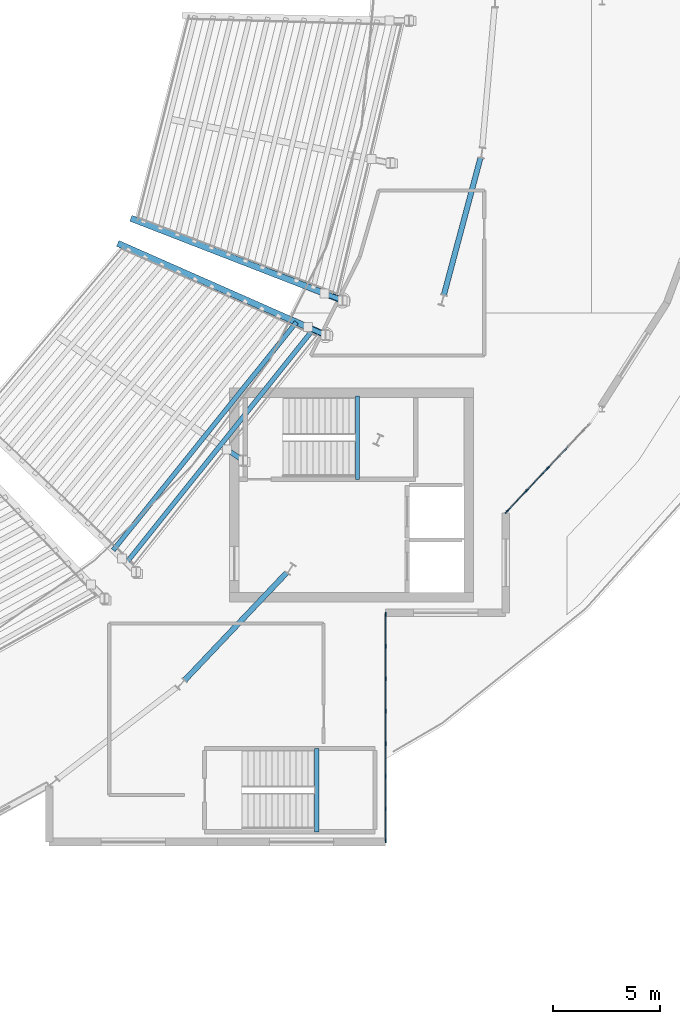
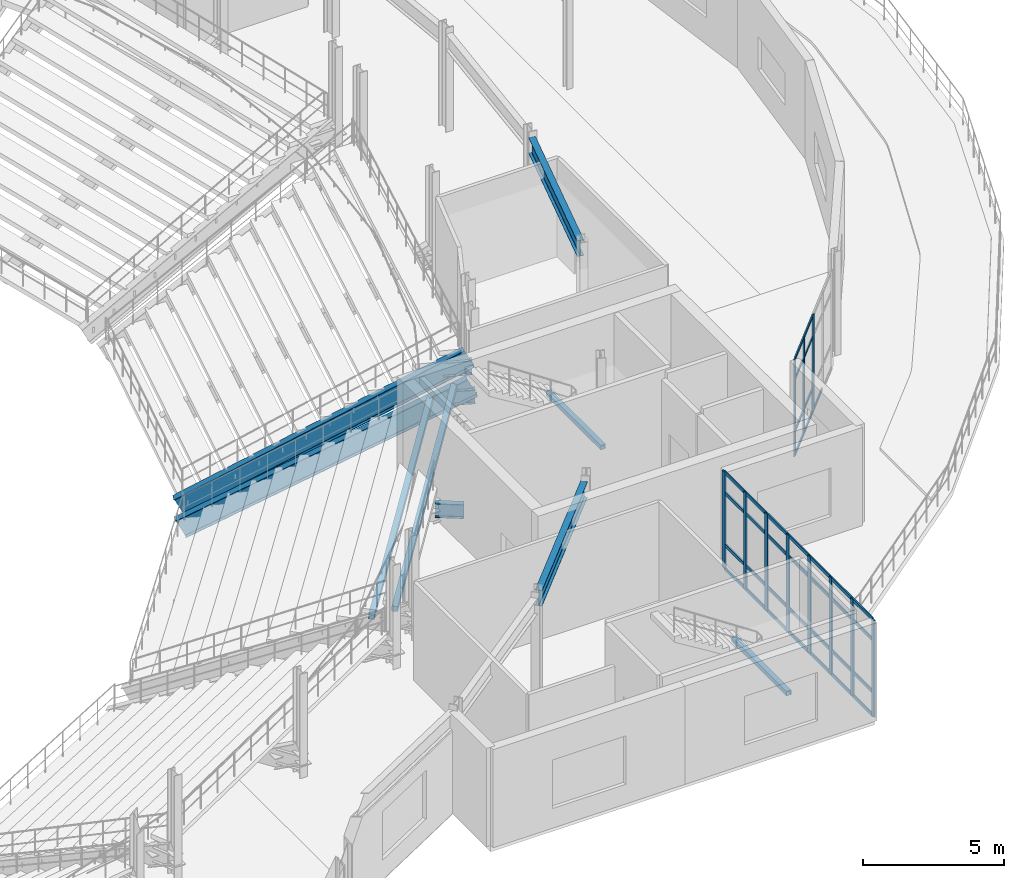
# One storey, part 40 of 81: 48 members, 11 beams, 2 elements without a shape of their own.
"""IFC4 building model written with IfcOpenShell, lengths in metres."""

from ifc_helpers import new_model, si_unit, direction, frame, origin, origin_2d, place, context, subcontext, project, spatial, rectangle, hollow_rectangle, i_section, extrude, material, material_profile, profile_set, type_object, element, aggregate, save


model = new_model("IFC4")

# Units and contexts
model_context = context("Model", 3, precision=1e-05, world=origin(), true_north=direction((0.0, 1.0)))
body_context = subcontext(model_context, "Body", "Model", "MODEL_VIEW")
ifc_project = project(units=[si_unit("LENGTHUNIT", "METRE"), si_unit("AREAUNIT", "SQUARE_METRE"), si_unit("VOLUMEUNIT", "CUBIC_METRE"), si_unit("PLANEANGLEUNIT", "RADIAN"), si_unit("MASSUNIT", "GRAM", prefix="KILO")], contexts=[model_context])

# Site, building, storey
site_placement = place(None, origin())
site = spatial("IfcSite", under=ifc_project, at=site_placement, CompositionType="ELEMENT")
building_placement = place(site_placement, origin())
building = spatial("IfcBuilding", under=site, at=building_placement, Name="Glasvene Arena", CompositionType="ELEMENT")
storey_placement = place(building_placement, frame((0.0, 0.0, 15.0)))
storey = spatial("IfcBuildingStorey", under=building, at=storey_placement, Name="L03", CompositionType="ELEMENT", Elevation=15.0)

# Beams
ifc_material_1 = material(Name="Steel S355J2", Category="steel")
ifc_material_profile_1 = material_profile(ifc_material_1, i_section(OverallWidth=0.228271484375, OverallDepth=0.607666015625, WebThickness=0.010986328125, FlangeThickness=0.017333984375, FilletRadius=0.0126953125, at=origin_2d()), Name="UKB 610x229x113")
ifc_profile_set_1 = profile_set([ifc_material_profile_1], Name="Steel S355J2")
beam_type_1 = type_object("IfcBeamType", Name="BM-GIRD-610", PredefinedType="BEAM", material=ifc_profile_set_1)
beam_1_placement = place(storey_placement, frame((129.499267578125, 52.110595703125, 0.544921875), z_axis=(0.831386976724, -0.555693885997, 0.0), x_axis=(0.555693885997, 0.831386976724, 0.0)))
element("IfcBeam", 1, at=beam_1_placement, inside=storey, type_object=beam_type_1, Name="Upper raker rear seat haunch girder RKS-15-2", PredefinedType="BEAM", context=body_context, shape_type="SweptSolid", body=[
    extrude(i_section(OverallWidth=0.228271484375, OverallDepth=0.607666015625, WebThickness=0.010986328125, FlangeThickness=0.017333984375, FilletRadius=0.0126953125, at=origin_2d()), origin(), (0.0, 0.0, 1.0), 1.020263671875),
])
for number, where, z_axis, x_axis, name in (
    (2, (133.2646484375, 57.82666015625, 0.60498046875), (0.914972384144, -0.403516463423, 0.0), (0.403516463423, 0.914972384144, 0.0), "Upper raker rear seat haunch girder RKS-15-3"),
    (3, (134.0478515625, 59.403076171875, 0.60498046875), (0.932305314337, -0.361672228488, 0.0), (0.361672228488, 0.932305314337, 0.0), "Upper raker rear seat haunch girder RKS-16-1"),
):
    element("IfcBeam", number, at=place(storey_placement, frame(where, z_axis=z_axis, x_axis=x_axis)), inside=storey, type_object=beam_type_1, Name=name, PredefinedType="BEAM", context=body_context, shape_type="SweptSolid", body=[
        extrude(i_section(OverallWidth=0.228271484375, OverallDepth=0.607666015625, WebThickness=0.010986328125, FlangeThickness=0.017333984375, FilletRadius=0.0126953125, at=origin_2d()), origin(), (0.0, 0.0, 1.0), 1.02001953125),
    ])
ifc_material_profile_2 = material_profile(ifc_material_1, i_section(OverallWidth=0.253662109375, OverallDepth=0.68359375, WebThickness=0.012451171875, FlangeThickness=0.01904296875, FilletRadius=0.01513671875, at=origin_2d()), Name="UKB 686x254x140")
ifc_profile_set_2 = profile_set([ifc_material_profile_2], Name="Steel S355J2")
beam_type_2 = type_object("IfcBeamType", Name="BM-GIRD-686", PredefinedType="BEAM", material=ifc_profile_set_2)
beam_2_placement = place(storey_placement, frame((127.5205078125, 41.354248046875, 3.908203125), z_axis=(0.688366558931, 0.725362999157, 0.0), x_axis=(-0.725362999157, 0.688366558931, 0.0)))
element("IfcBeam", 4, at=beam_2_placement, inside=storey, type_object=beam_type_2, Name="Bowl ring chord beam L03-36", PredefinedType="BEAM", context=body_context, shape_type="SweptSolid", body=[
    extrude(i_section(OverallWidth=0.253662109375, OverallDepth=0.68359375, WebThickness=0.012451171875, FlangeThickness=0.01904296875, FilletRadius=0.01513671875, at=origin_2d()), origin(), (0.0, 0.0, 1.0), 6.92236328125),
])
beam_3_placement = place(storey_placement, frame((139.61474609375, 59.326171875, 3.908203125), z_axis=(0.257729153992, 0.966217202901, 0.0), x_axis=(-0.966217202901, 0.257729153992, 0.0)))
element("IfcBeam", 5, at=beam_3_placement, inside=storey, type_object=beam_type_2, Name="Bowl ring chord beam L03-39", PredefinedType="BEAM", context=body_context, shape_type="SweptSolid", body=[
    extrude(i_section(OverallWidth=0.253662109375, OverallDepth=0.68359375, WebThickness=0.012451171875, FlangeThickness=0.01904296875, FilletRadius=0.01513671875, at=origin_2d()), origin(), (0.0, 0.0, 1.0), 6.626220703125),
])
ifc_material_profile_3 = material_profile(ifc_material_1, hollow_rectangle(XDim=0.199951171875, YDim=0.199951171875, WallThickness=0.010009765625, at=origin_2d()), Name="SHS 200x200x10.0")
ifc_profile_set_3 = profile_set([ifc_material_profile_3], Name="Steel S355J2")
beam_type_3 = type_object("IfcBeamType", Name="BM-LINTEL-200", PredefinedType="LINTEL", material=ifc_profile_set_3)
beam_4_placement = place(storey_placement, frame((135.580078125, 50.72998046875, 1.929931640625), z_axis=(0.0, 1.0, 0.0), x_axis=(-1.0, 0.0, 0.0)))
element("IfcBeam", 6, at=beam_4_placement, inside=storey, type_object=beam_type_3, Name="Stair half-landing support beam ST-04-L03", PredefinedType="LINTEL", context=body_context, shape_type="SweptSolid", body=[
    extrude(hollow_rectangle(XDim=0.199951171875, YDim=0.199951171875, WallThickness=0.010009765625, at=origin_2d()), origin(), (0.0, 0.0, 1.0), 3.89013671875),
])
beam_5_placement = place(storey_placement, frame((133.679931640625, 34.280029296875, 1.929931640625), z_axis=(0.0, 1.0, 0.0), x_axis=(-1.0, 0.0, 0.0)))
element("IfcBeam", 7, at=beam_5_placement, inside=storey, type_object=beam_type_3, Name="Stair half-landing support beam ST-06-L03", PredefinedType="LINTEL", context=body_context, shape_type="SweptSolid", body=[
    extrude(hollow_rectangle(XDim=0.199951171875, YDim=0.199951171875, WallThickness=0.010009765625, at=origin_2d()), origin(), (0.0, 0.0, 1.0), 3.889892578125),
])
ifc_material_profile_4 = material_profile(ifc_material_1, i_section(OverallWidth=0.29248046875, OverallDepth=0.8408203125, WebThickness=0.0146484375, FlangeThickness=0.021728515625, FilletRadius=0.017822265625, at=origin_2d()), Name="UKB 838x292x194")
ifc_profile_set_4 = profile_set([ifc_material_profile_4], Name="Steel S355J2")
beam_type_4 = type_object("IfcBeamType", Name="Upper bowl raker", PredefinedType="USERDEFINED", material=ifc_profile_set_4)
beam_6_placement = place(storey_placement, frame((124.572509765625, 61.660400390625, -4.320068359375), z_axis=(0.814248067092, -0.359137379961, 0.456092564674), x_axis=(0.403555824655, 0.914955024243, 0.0)))
element("IfcBeam", 8, at=beam_6_placement, inside=storey, type_object=beam_type_4, Name="Upper bowl cantilevered raker beam RKU-15-3", ObjectType="RAKER BEAM", PredefinedType="USERDEFINED", context=body_context, shape_type="SweptSolid", body=[
    extrude(i_section(OverallWidth=0.29248046875, OverallDepth=0.8408203125, WebThickness=0.0146484375, FlangeThickness=0.021728515625, FilletRadius=0.017822265625, at=origin_2d()), origin(), (0.0, 0.0, 1.0), 11.686279296875),
])
beam_7_placement = place(storey_placement, frame((125.190673828125, 62.83837890625, -4.320068359375), z_axis=(0.829704586846, -0.321824936055, 0.456091009669), x_axis=(0.361628219192, 0.932322385811, 0.0)))
element("IfcBeam", 9, at=beam_7_placement, inside=storey, type_object=beam_type_4, Name="Upper bowl cantilevered raker beam RKU-16-1", ObjectType="RAKER BEAM", PredefinedType="USERDEFINED", context=body_context, shape_type="SweptSolid", body=[
    extrude(i_section(OverallWidth=0.29248046875, OverallDepth=0.8408203125, WebThickness=0.0146484375, FlangeThickness=0.021728515625, FilletRadius=0.017822265625, at=origin_2d()), origin(), (0.0, 0.0, 1.0), 11.6865234375),
])
ifc_material_2 = material(Name="Precast concrete C50/60", Category="concrete")
ifc_material_profile_5 = material_profile(ifc_material_2, rectangle(XDim=0.219970703125, YDim=0.219970703125, at=origin_2d()), Name="RC 220x220")
ifc_profile_set_5 = profile_set([ifc_material_profile_5], Name="Precast concrete C50/60")
beam_type_5 = type_object("IfcBeamType", Name="BM-TIER-BEARER", PredefinedType="BEAM", material=ifc_profile_set_5)
beam_8_placement = place(storey_placement, frame((124.1865234375, 47.423583984375, 0.5849609375), z_axis=(0.626373636343, 0.779522974449, 0.0), x_axis=(-0.779522974449, 0.626373636343, 0.0)))
element("IfcBeam", 10, at=beam_8_placement, inside=storey, type_object=beam_type_5, Name="Upper tier precast row bearer 15-R11", PredefinedType="BEAM", context=body_context, shape_type="SweptSolid", body=[
    extrude(rectangle(XDim=0.219970703125, YDim=0.219970703125, at=origin_2d()), origin(), (0.0, 0.0, 1.0), 13.645751953125),
])
beam_9_placement = place(storey_placement, frame((124.801025390625, 46.836181640625, 1.06494140625), z_axis=(0.624932117526, 0.780679094433, 0.0), x_axis=(-0.780679094433, 0.624932117526, 0.0)))
element("IfcBeam", 11, at=beam_9_placement, inside=storey, type_object=beam_type_5, Name="Upper tier precast row bearer 15-R12", PredefinedType="BEAM", context=body_context, shape_type="SweptSolid", body=[
    extrude(rectangle(XDim=0.219970703125, YDim=0.219970703125, at=origin_2d()), origin(), (0.0, 0.0, 1.0), 13.938720703125),
])

# Curtain wall, members
ifc_material_3 = material(Name="Low-emissivity laminated double glazing", Category="glass")
curtain_wall_type_1 = type_object("IfcCurtainWallType", Name="CW-FAC-L03-563x419", PredefinedType="USERDEFINED", material=ifc_material_3)
curtain_wall_1_placement = place(storey_placement, frame((146.388427734375, 53.2880859375, 0.0)))
curtain_wall_1 = element("IfcCurtainWall", 12, at=curtain_wall_1_placement, inside=storey, type_object=curtain_wall_type_1, Name="Unitised curtain wall CW-F-L03-180-1445-512-43", ObjectType="CURTAIN WALL", PredefinedType="USERDEFINED")
ifc_material_4 = material(Name="Anodised architectural aluminium", Category="aluminium")
ifc_material_profile_6 = material_profile(ifc_material_4, rectangle(XDim=0.050048828125, YDim=0.199951171875, at=origin_2d()), Name="ALU MULLION 50x200")
ifc_profile_set_6 = profile_set([ifc_material_profile_6], Name="Anodised architectural aluminium")
member_type_1 = type_object("IfcMemberType", Name="CW-MUL-180", PredefinedType="MULLION", material=ifc_profile_set_6)
member_1_placement = place(storey_placement, frame((144.4580078125, 51.2412109375, 0.06005859375), z_axis=(0.0, 0.0, 1.0), x_axis=(0.727463943497, -0.686145910803, 0.0)))
member_1 = element("IfcMember", 13, at=member_1_placement, type_object=member_type_1, Name="CW-039 mullion 3", PredefinedType="MULLION", context=body_context, shape_type="SweptSolid", body=[
    extrude(rectangle(XDim=0.050048828125, YDim=0.199951171875, at=origin_2d()), origin(), (0.0, 0.0, 1.0), 4.18994140625),
])
member_2_placement = place(storey_placement, frame((143.49267578125, 50.2177734375, 0.06005859375), z_axis=(0.0, 0.0, 1.0), x_axis=(0.727463943497, -0.686145910803, 0.0)))
member_2 = element("IfcMember", 14, at=member_2_placement, type_object=member_type_1, Name="CW-039 mullion 4", PredefinedType="MULLION", context=body_context, shape_type="SweptSolid", body=[
    extrude(rectangle(XDim=0.050048828125, YDim=0.199951171875, at=origin_2d()), origin(), (0.0, 0.0, 1.0), 4.18994140625),
])
member_3_placement = place(storey_placement, frame((142.54443359375, 49.212646484375, 0.06005859375), z_axis=(0.0, 0.0, 1.0), x_axis=(0.727463943497, -0.686145910803, 0.0)))
member_3 = element("IfcMember", 15, at=member_3_placement, type_object=member_type_1, Name="CW-039 mullion 5", PredefinedType="MULLION", context=body_context, shape_type="SweptSolid", body=[
    extrude(rectangle(XDim=0.050048828125, YDim=0.199951171875, at=origin_2d()), origin(), (0.0, 0.0, 1.0), 4.18994140625),
])

curtain_wall_type_2 = type_object("IfcCurtainWallType", Name="CW-FAC-L03-1062x419", PredefinedType="USERDEFINED", material=ifc_material_3)
curtain_wall_2_placement = place(storey_placement, frame((136.89990234375, 44.4599609375, 0.0)))
curtain_wall_2 = element("IfcCurtainWall", 16, at=curtain_wall_2_placement, inside=storey, type_object=curtain_wall_type_2, Name="Unitised curtain wall CW-F-L03-180-1369-392-46", ObjectType="CURTAIN WALL", PredefinedType="USERDEFINED")
member_4_placement = place(storey_placement, frame((136.89990234375, 44.43505859375, 0.06005859375), z_axis=(0.0, 0.0, 1.0), x_axis=(1.0, 0.0, 0.0)))
member_4 = element("IfcMember", 17, at=member_4_placement, type_object=member_type_1, Name="CW-040 mullion 1", PredefinedType="MULLION", context=body_context, shape_type="SweptSolid", body=[
    extrude(rectangle(XDim=0.050048828125, YDim=0.199951171875, at=origin_2d()), origin(), (0.0, 0.0, 1.0), 4.18994140625),
])
member_5_placement = place(storey_placement, frame((136.89990234375, 42.94287109375, 0.06005859375), z_axis=(0.0, 0.0, 1.0), x_axis=(1.0, 0.0, 0.0)))
member_5 = element("IfcMember", 18, at=member_5_placement, type_object=member_type_1, Name="CW-040 mullion 2", PredefinedType="MULLION", context=body_context, shape_type="SweptSolid", body=[
    extrude(rectangle(XDim=0.050048828125, YDim=0.199951171875, at=origin_2d()), origin(), (0.0, 0.0, 1.0), 4.18994140625),
])
member_6_placement = place(storey_placement, frame((136.89990234375, 41.42578125, 0.06005859375), z_axis=(0.0, 0.0, 1.0), x_axis=(1.0, 0.0, 0.0)))
member_6 = element("IfcMember", 19, at=member_6_placement, type_object=member_type_1, Name="CW-040 mullion 3", PredefinedType="MULLION", context=body_context, shape_type="SweptSolid", body=[
    extrude(rectangle(XDim=0.050048828125, YDim=0.199951171875, at=origin_2d()), origin(), (0.0, 0.0, 1.0), 4.18994140625),
])
member_7_placement = place(storey_placement, frame((136.89990234375, 39.90869140625, 0.06005859375), z_axis=(0.0, 0.0, 1.0), x_axis=(1.0, 0.0, 0.0)))
member_7 = element("IfcMember", 20, at=member_7_placement, type_object=member_type_1, Name="CW-040 mullion 4", PredefinedType="MULLION", context=body_context, shape_type="SweptSolid", body=[
    extrude(rectangle(XDim=0.050048828125, YDim=0.199951171875, at=origin_2d()), origin(), (0.0, 0.0, 1.0), 4.18994140625),
])
member_8_placement = place(storey_placement, frame((136.89990234375, 38.391357421875, 0.06005859375), z_axis=(0.0, 0.0, 1.0), x_axis=(1.0, 0.0, 0.0)))
member_8 = element("IfcMember", 21, at=member_8_placement, type_object=member_type_1, Name="CW-040 mullion 5", PredefinedType="MULLION", context=body_context, shape_type="SweptSolid", body=[
    extrude(rectangle(XDim=0.050048828125, YDim=0.199951171875, at=origin_2d()), origin(), (0.0, 0.0, 1.0), 4.18994140625),
])
member_9_placement = place(storey_placement, frame((136.89990234375, 36.874267578125, 0.06005859375), z_axis=(0.0, 0.0, 1.0), x_axis=(1.0, 0.0, 0.0)))
member_9 = element("IfcMember", 22, at=member_9_placement, type_object=member_type_1, Name="CW-040 mullion 6", PredefinedType="MULLION", context=body_context, shape_type="SweptSolid", body=[
    extrude(rectangle(XDim=0.050048828125, YDim=0.199951171875, at=origin_2d()), origin(), (0.0, 0.0, 1.0), 4.18994140625),
])
member_10_placement = place(storey_placement, frame((136.89990234375, 35.357177734375, 0.06005859375), z_axis=(0.0, 0.0, 1.0), x_axis=(1.0, 0.0, 0.0)))
member_10 = element("IfcMember", 23, at=member_10_placement, type_object=member_type_1, Name="CW-040 mullion 7", PredefinedType="MULLION", context=body_context, shape_type="SweptSolid", body=[
    extrude(rectangle(XDim=0.050048828125, YDim=0.199951171875, at=origin_2d()), origin(), (0.0, 0.0, 1.0), 4.18994140625),
])
member_11_placement = place(storey_placement, frame((136.89990234375, 33.864990234375, 0.06005859375), z_axis=(0.0, 0.0, 1.0), x_axis=(1.0, 0.0, 0.0)))
member_11 = element("IfcMember", 24, at=member_11_placement, type_object=member_type_1, Name="CW-040 mullion 8", PredefinedType="MULLION", context=body_context, shape_type="SweptSolid", body=[
    extrude(rectangle(XDim=0.050048828125, YDim=0.199951171875, at=origin_2d()), origin(), (0.0, 0.0, 1.0), 4.18994140625),
])

# Member
ifc_material_profile_7 = material_profile(ifc_material_4, rectangle(XDim=0.050048828125, YDim=0.1201171875, at=origin_2d()), Name="ALU TRANSOM 50x120")
ifc_profile_set_7 = profile_set([ifc_material_profile_7], Name="Anodised architectural aluminium")
member_type_2 = type_object("IfcMemberType", Name="CW-TRN-120", PredefinedType="USERDEFINED", material=ifc_profile_set_7)
member_12_placement = place(storey_placement, frame((145.406005859375, 52.246337890625, 0.0849609375), z_axis=(-0.686200664221, -0.727412296035, 0.0), x_axis=(0.727412296035, -0.686200664221, 0.0)))
member_12 = element("IfcMember", 25, at=member_12_placement, type_object=member_type_2, Name="CW-039 transom 2.1", ObjectType="TRANSOM", PredefinedType="USERDEFINED", context=body_context, shape_type="SweptSolid", body=[
    extrude(rectangle(XDim=0.050048828125, YDim=0.1201171875, at=origin_2d()), origin(), (0.0, 0.0, 1.0), 1.356689453125),
])

member_13_placement = place(storey_placement, frame((144.440673828125, 51.22314453125, 0.0849609375), z_axis=(-0.686110841844, -0.727497019034, 0.0), x_axis=(0.727497019034, -0.686110841844, 0.0)))
member_13 = element("IfcMember", 26, at=member_13_placement, type_object=member_type_2, Name="CW-039 transom 3.1", ObjectType="TRANSOM", PredefinedType="USERDEFINED", context=body_context, shape_type="SweptSolid", body=[
    extrude(rectangle(XDim=0.050048828125, YDim=0.1201171875, at=origin_2d()), origin(), (0.0, 0.0, 1.0), 1.356689453125),
])

member_14_placement = place(storey_placement, frame((144.440673828125, 51.22314453125, 1.10009765625), z_axis=(-0.686110841844, -0.727497019034, 0.0), x_axis=(0.727497019034, -0.686110841844, 0.0)))
member_14 = element("IfcMember", 27, at=member_14_placement, type_object=member_type_2, Name="CW-039 transom 3.2", ObjectType="TRANSOM", PredefinedType="USERDEFINED", context=body_context, shape_type="SweptSolid", body=[
    extrude(rectangle(XDim=0.050048828125, YDim=0.1201171875, at=origin_2d()), origin(), (0.0, 0.0, 1.0), 1.356689453125),
])

member_15_placement = place(storey_placement, frame((144.440673828125, 51.22314453125, 3.35009765625), z_axis=(-0.686110841844, -0.727497019034, 0.0), x_axis=(0.727497019034, -0.686110841844, 0.0)))
member_15 = element("IfcMember", 28, at=member_15_placement, type_object=member_type_2, Name="CW-039 transom 3.3", ObjectType="TRANSOM", PredefinedType="USERDEFINED", context=body_context, shape_type="SweptSolid", body=[
    extrude(rectangle(XDim=0.050048828125, YDim=0.1201171875, at=origin_2d()), origin(), (0.0, 0.0, 1.0), 1.356689453125),
])

member_16_placement = place(storey_placement, frame((144.440673828125, 51.22314453125, 4.22509765625), z_axis=(-0.686110841844, -0.727497019034, 0.0), x_axis=(0.727497019034, -0.686110841844, 0.0)))
member_16 = element("IfcMember", 29, at=member_16_placement, type_object=member_type_2, Name="CW-039 transom 3.4", ObjectType="TRANSOM", PredefinedType="USERDEFINED", context=body_context, shape_type="SweptSolid", body=[
    extrude(rectangle(XDim=0.050048828125, YDim=0.1201171875, at=origin_2d()), origin(), (0.0, 0.0, 1.0), 1.356689453125),
])

member_17_placement = place(storey_placement, frame((143.4755859375, 50.19970703125, 0.0849609375), z_axis=(-0.686181993146, -0.727429908845, 0.0), x_axis=(0.727429908845, -0.686181993146, 0.0)))
member_17 = element("IfcMember", 30, at=member_17_placement, type_object=member_type_2, Name="CW-039 transom 4.1", ObjectType="TRANSOM", PredefinedType="USERDEFINED", context=body_context, shape_type="SweptSolid", body=[
    extrude(rectangle(XDim=0.050048828125, YDim=0.1201171875, at=origin_2d()), origin(), (0.0, 0.0, 1.0), 1.331787109375),
])

member_18_placement = place(storey_placement, frame((143.4755859375, 50.19970703125, 1.10009765625), z_axis=(-0.686181993146, -0.727429908845, 0.0), x_axis=(0.727429908845, -0.686181993146, 0.0)))
member_18 = element("IfcMember", 31, at=member_18_placement, type_object=member_type_2, Name="CW-039 transom 4.2", ObjectType="TRANSOM", PredefinedType="USERDEFINED", context=body_context, shape_type="SweptSolid", body=[
    extrude(rectangle(XDim=0.050048828125, YDim=0.1201171875, at=origin_2d()), origin(), (0.0, 0.0, 1.0), 1.331787109375),
])

member_19_placement = place(storey_placement, frame((143.4755859375, 50.19970703125, 3.35009765625), z_axis=(-0.686181993146, -0.727429908845, 0.0), x_axis=(0.727429908845, -0.686181993146, 0.0)))
member_19 = element("IfcMember", 32, at=member_19_placement, type_object=member_type_2, Name="CW-039 transom 4.3", ObjectType="TRANSOM", PredefinedType="USERDEFINED", context=body_context, shape_type="SweptSolid", body=[
    extrude(rectangle(XDim=0.050048828125, YDim=0.1201171875, at=origin_2d()), origin(), (0.0, 0.0, 1.0), 1.331787109375),
])

member_20_placement = place(storey_placement, frame((143.4755859375, 50.19970703125, 4.22509765625), z_axis=(-0.686181993146, -0.727429908845, 0.0), x_axis=(0.727429908845, -0.686181993146, 0.0)))
member_20 = element("IfcMember", 33, at=member_20_placement, type_object=member_type_2, Name="CW-039 transom 4.4", ObjectType="TRANSOM", PredefinedType="USERDEFINED", context=body_context, shape_type="SweptSolid", body=[
    extrude(rectangle(XDim=0.050048828125, YDim=0.1201171875, at=origin_2d()), origin(), (0.0, 0.0, 1.0), 1.331787109375),
])

aggregate(curtain_wall_1, [member_1, member_2, member_3, member_12, member_13, member_14, member_15, member_16, member_17, member_18, member_19, member_20])

ifc_material_profile_8 = material_profile(ifc_material_4, rectangle(XDim=0.050048828125, YDim=0.14990234375, at=origin_2d()), Name="ALU TRANSOM 50x150")
ifc_profile_set_8 = profile_set([ifc_material_profile_8], Name="Anodised architectural aluminium")
member_type_3 = type_object("IfcMemberType", Name="CW-TRN-150", PredefinedType="USERDEFINED", material=ifc_profile_set_8)
member_21_placement = place(storey_placement, frame((136.89990234375, 44.409912109375, 0.0849609375), z_axis=(0.0, -1.0, 0.0), x_axis=(1.0, 0.0, 0.0)))
member_21 = element("IfcMember", 34, at=member_21_placement, type_object=member_type_3, Name="CW-040 transom 1.1", ObjectType="TRANSOM", PredefinedType="USERDEFINED", context=body_context, shape_type="SweptSolid", body=[
    extrude(rectangle(XDim=0.050048828125, YDim=0.14990234375, at=origin_2d()), origin(), (0.0, 0.0, 1.0), 1.442138671875),
])

member_22_placement = place(storey_placement, frame((136.89990234375, 44.409912109375, 1.10009765625), z_axis=(0.0, -1.0, 0.0), x_axis=(1.0, 0.0, 0.0)))
member_22 = element("IfcMember", 35, at=member_22_placement, type_object=member_type_3, Name="CW-040 transom 1.2", ObjectType="TRANSOM", PredefinedType="USERDEFINED", context=body_context, shape_type="SweptSolid", body=[
    extrude(rectangle(XDim=0.050048828125, YDim=0.14990234375, at=origin_2d()), origin(), (0.0, 0.0, 1.0), 1.442138671875),
])

member_23_placement = place(storey_placement, frame((136.89990234375, 44.409912109375, 3.35009765625), z_axis=(0.0, -1.0, 0.0), x_axis=(1.0, 0.0, 0.0)))
member_23 = element("IfcMember", 36, at=member_23_placement, type_object=member_type_3, Name="CW-040 transom 1.3", ObjectType="TRANSOM", PredefinedType="USERDEFINED", context=body_context, shape_type="SweptSolid", body=[
    extrude(rectangle(XDim=0.050048828125, YDim=0.14990234375, at=origin_2d()), origin(), (0.0, 0.0, 1.0), 1.442138671875),
])

member_24_placement = place(storey_placement, frame((136.89990234375, 44.409912109375, 4.22509765625), z_axis=(0.0, -1.0, 0.0), x_axis=(1.0, 0.0, 0.0)))
member_24 = element("IfcMember", 37, at=member_24_placement, type_object=member_type_3, Name="CW-040 transom 1.4", ObjectType="TRANSOM", PredefinedType="USERDEFINED", context=body_context, shape_type="SweptSolid", body=[
    extrude(rectangle(XDim=0.050048828125, YDim=0.14990234375, at=origin_2d()), origin(), (0.0, 0.0, 1.0), 1.442138671875),
])

member_25_placement = place(storey_placement, frame((136.89990234375, 42.91796875, 0.0849609375), z_axis=(0.0, -1.0, 0.0), x_axis=(1.0, 0.0, 0.0)))
member_25 = element("IfcMember", 38, at=member_25_placement, type_object=member_type_3, Name="CW-040 transom 2.1", ObjectType="TRANSOM", PredefinedType="USERDEFINED", context=body_context, shape_type="SweptSolid", body=[
    extrude(rectangle(XDim=0.050048828125, YDim=0.14990234375, at=origin_2d()), origin(), (0.0, 0.0, 1.0), 1.46728515625),
])

member_26_placement = place(storey_placement, frame((136.89990234375, 42.91796875, 1.10009765625), z_axis=(0.0, -1.0, 0.0), x_axis=(1.0, 0.0, 0.0)))
member_26 = element("IfcMember", 39, at=member_26_placement, type_object=member_type_3, Name="CW-040 transom 2.2", ObjectType="TRANSOM", PredefinedType="USERDEFINED", context=body_context, shape_type="SweptSolid", body=[
    extrude(rectangle(XDim=0.050048828125, YDim=0.14990234375, at=origin_2d()), origin(), (0.0, 0.0, 1.0), 1.46728515625),
])

member_27_placement = place(storey_placement, frame((136.89990234375, 42.91796875, 3.35009765625), z_axis=(0.0, -1.0, 0.0), x_axis=(1.0, 0.0, 0.0)))
member_27 = element("IfcMember", 40, at=member_27_placement, type_object=member_type_3, Name="CW-040 transom 2.3", ObjectType="TRANSOM", PredefinedType="USERDEFINED", context=body_context, shape_type="SweptSolid", body=[
    extrude(rectangle(XDim=0.050048828125, YDim=0.14990234375, at=origin_2d()), origin(), (0.0, 0.0, 1.0), 1.46728515625),
])

member_28_placement = place(storey_placement, frame((136.89990234375, 42.91796875, 4.22509765625), z_axis=(0.0, -1.0, 0.0), x_axis=(1.0, 0.0, 0.0)))
member_28 = element("IfcMember", 41, at=member_28_placement, type_object=member_type_3, Name="CW-040 transom 2.4", ObjectType="TRANSOM", PredefinedType="USERDEFINED", context=body_context, shape_type="SweptSolid", body=[
    extrude(rectangle(XDim=0.050048828125, YDim=0.14990234375, at=origin_2d()), origin(), (0.0, 0.0, 1.0), 1.46728515625),
])

member_29_placement = place(storey_placement, frame((136.89990234375, 41.400634765625, 0.0849609375), z_axis=(0.0, -1.0, 0.0), x_axis=(1.0, 0.0, 0.0)))
member_29 = element("IfcMember", 42, at=member_29_placement, type_object=member_type_3, Name="CW-040 transom 3.1", ObjectType="TRANSOM", PredefinedType="USERDEFINED", context=body_context, shape_type="SweptSolid", body=[
    extrude(rectangle(XDim=0.050048828125, YDim=0.14990234375, at=origin_2d()), origin(), (0.0, 0.0, 1.0), 1.467041015625),
])

member_30_placement = place(storey_placement, frame((136.89990234375, 41.400634765625, 1.10009765625), z_axis=(0.0, -1.0, 0.0), x_axis=(1.0, 0.0, 0.0)))
member_30 = element("IfcMember", 43, at=member_30_placement, type_object=member_type_3, Name="CW-040 transom 3.2", ObjectType="TRANSOM", PredefinedType="USERDEFINED", context=body_context, shape_type="SweptSolid", body=[
    extrude(rectangle(XDim=0.050048828125, YDim=0.14990234375, at=origin_2d()), origin(), (0.0, 0.0, 1.0), 1.467041015625),
])

member_31_placement = place(storey_placement, frame((136.89990234375, 41.400634765625, 3.35009765625), z_axis=(0.0, -1.0, 0.0), x_axis=(1.0, 0.0, 0.0)))
member_31 = element("IfcMember", 44, at=member_31_placement, type_object=member_type_3, Name="CW-040 transom 3.3", ObjectType="TRANSOM", PredefinedType="USERDEFINED", context=body_context, shape_type="SweptSolid", body=[
    extrude(rectangle(XDim=0.050048828125, YDim=0.14990234375, at=origin_2d()), origin(), (0.0, 0.0, 1.0), 1.467041015625),
])

member_32_placement = place(storey_placement, frame((136.89990234375, 41.400634765625, 4.22509765625), z_axis=(0.0, -1.0, 0.0), x_axis=(1.0, 0.0, 0.0)))
member_32 = element("IfcMember", 45, at=member_32_placement, type_object=member_type_3, Name="CW-040 transom 3.4", ObjectType="TRANSOM", PredefinedType="USERDEFINED", context=body_context, shape_type="SweptSolid", body=[
    extrude(rectangle(XDim=0.050048828125, YDim=0.14990234375, at=origin_2d()), origin(), (0.0, 0.0, 1.0), 1.467041015625),
])

member_33_placement = place(storey_placement, frame((136.89990234375, 39.883544921875, 0.0849609375), z_axis=(0.0, -1.0, 0.0), x_axis=(1.0, 0.0, 0.0)))
member_33 = element("IfcMember", 46, at=member_33_placement, type_object=member_type_3, Name="CW-040 transom 4.1", ObjectType="TRANSOM", PredefinedType="USERDEFINED", context=body_context, shape_type="SweptSolid", body=[
    extrude(rectangle(XDim=0.050048828125, YDim=0.14990234375, at=origin_2d()), origin(), (0.0, 0.0, 1.0), 1.467041015625),
])

member_34_placement = place(storey_placement, frame((136.89990234375, 39.883544921875, 1.10009765625), z_axis=(0.0, -1.0, 0.0), x_axis=(1.0, 0.0, 0.0)))
member_34 = element("IfcMember", 47, at=member_34_placement, type_object=member_type_3, Name="CW-040 transom 4.2", ObjectType="TRANSOM", PredefinedType="USERDEFINED", context=body_context, shape_type="SweptSolid", body=[
    extrude(rectangle(XDim=0.050048828125, YDim=0.14990234375, at=origin_2d()), origin(), (0.0, 0.0, 1.0), 1.467041015625),
])

member_35_placement = place(storey_placement, frame((136.89990234375, 39.883544921875, 3.35009765625), z_axis=(0.0, -1.0, 0.0), x_axis=(1.0, 0.0, 0.0)))
member_35 = element("IfcMember", 48, at=member_35_placement, type_object=member_type_3, Name="CW-040 transom 4.3", ObjectType="TRANSOM", PredefinedType="USERDEFINED", context=body_context, shape_type="SweptSolid", body=[
    extrude(rectangle(XDim=0.050048828125, YDim=0.14990234375, at=origin_2d()), origin(), (0.0, 0.0, 1.0), 1.467041015625),
])

member_36_placement = place(storey_placement, frame((136.89990234375, 39.883544921875, 4.22509765625), z_axis=(0.0, -1.0, 0.0), x_axis=(1.0, 0.0, 0.0)))
member_36 = element("IfcMember", 49, at=member_36_placement, type_object=member_type_3, Name="CW-040 transom 4.4", ObjectType="TRANSOM", PredefinedType="USERDEFINED", context=body_context, shape_type="SweptSolid", body=[
    extrude(rectangle(XDim=0.050048828125, YDim=0.14990234375, at=origin_2d()), origin(), (0.0, 0.0, 1.0), 1.467041015625),
])

member_37_placement = place(storey_placement, frame((136.89990234375, 38.366455078125, 0.0849609375), z_axis=(0.0, -1.0, 0.0), x_axis=(1.0, 0.0, 0.0)))
member_37 = element("IfcMember", 50, at=member_37_placement, type_object=member_type_3, Name="CW-040 transom 5.1", ObjectType="TRANSOM", PredefinedType="USERDEFINED", context=body_context, shape_type="SweptSolid", body=[
    extrude(rectangle(XDim=0.050048828125, YDim=0.14990234375, at=origin_2d()), origin(), (0.0, 0.0, 1.0), 1.46728515625),
])

member_38_placement = place(storey_placement, frame((136.89990234375, 38.366455078125, 1.10009765625), z_axis=(0.0, -1.0, 0.0), x_axis=(1.0, 0.0, 0.0)))
member_38 = element("IfcMember", 51, at=member_38_placement, type_object=member_type_3, Name="CW-040 transom 5.2", ObjectType="TRANSOM", PredefinedType="USERDEFINED", context=body_context, shape_type="SweptSolid", body=[
    extrude(rectangle(XDim=0.050048828125, YDim=0.14990234375, at=origin_2d()), origin(), (0.0, 0.0, 1.0), 1.46728515625),
])

member_39_placement = place(storey_placement, frame((136.89990234375, 38.366455078125, 3.35009765625), z_axis=(0.0, -1.0, 0.0), x_axis=(1.0, 0.0, 0.0)))
member_39 = element("IfcMember", 52, at=member_39_placement, type_object=member_type_3, Name="CW-040 transom 5.3", ObjectType="TRANSOM", PredefinedType="USERDEFINED", context=body_context, shape_type="SweptSolid", body=[
    extrude(rectangle(XDim=0.050048828125, YDim=0.14990234375, at=origin_2d()), origin(), (0.0, 0.0, 1.0), 1.46728515625),
])

member_40_placement = place(storey_placement, frame((136.89990234375, 38.366455078125, 4.22509765625), z_axis=(0.0, -1.0, 0.0), x_axis=(1.0, 0.0, 0.0)))
member_40 = element("IfcMember", 53, at=member_40_placement, type_object=member_type_3, Name="CW-040 transom 5.4", ObjectType="TRANSOM", PredefinedType="USERDEFINED", context=body_context, shape_type="SweptSolid", body=[
    extrude(rectangle(XDim=0.050048828125, YDim=0.14990234375, at=origin_2d()), origin(), (0.0, 0.0, 1.0), 1.46728515625),
])

member_41_placement = place(storey_placement, frame((136.89990234375, 36.849365234375, 0.0849609375), z_axis=(0.0, -1.0, 0.0), x_axis=(1.0, 0.0, 0.0)))
member_41 = element("IfcMember", 54, at=member_41_placement, type_object=member_type_3, Name="CW-040 transom 6.1", ObjectType="TRANSOM", PredefinedType="USERDEFINED", context=body_context, shape_type="SweptSolid", body=[
    extrude(rectangle(XDim=0.050048828125, YDim=0.14990234375, at=origin_2d()), origin(), (0.0, 0.0, 1.0), 1.46728515625),
])

member_42_placement = place(storey_placement, frame((136.89990234375, 36.849365234375, 1.10009765625), z_axis=(0.0, -1.0, 0.0), x_axis=(1.0, 0.0, 0.0)))
member_42 = element("IfcMember", 55, at=member_42_placement, type_object=member_type_3, Name="CW-040 transom 6.2", ObjectType="TRANSOM", PredefinedType="USERDEFINED", context=body_context, shape_type="SweptSolid", body=[
    extrude(rectangle(XDim=0.050048828125, YDim=0.14990234375, at=origin_2d()), origin(), (0.0, 0.0, 1.0), 1.46728515625),
])

member_43_placement = place(storey_placement, frame((136.89990234375, 36.849365234375, 3.35009765625), z_axis=(0.0, -1.0, 0.0), x_axis=(1.0, 0.0, 0.0)))
member_43 = element("IfcMember", 56, at=member_43_placement, type_object=member_type_3, Name="CW-040 transom 6.3", ObjectType="TRANSOM", PredefinedType="USERDEFINED", context=body_context, shape_type="SweptSolid", body=[
    extrude(rectangle(XDim=0.050048828125, YDim=0.14990234375, at=origin_2d()), origin(), (0.0, 0.0, 1.0), 1.46728515625),
])

member_44_placement = place(storey_placement, frame((136.89990234375, 36.849365234375, 4.22509765625), z_axis=(0.0, -1.0, 0.0), x_axis=(1.0, 0.0, 0.0)))
member_44 = element("IfcMember", 57, at=member_44_placement, type_object=member_type_3, Name="CW-040 transom 6.4", ObjectType="TRANSOM", PredefinedType="USERDEFINED", context=body_context, shape_type="SweptSolid", body=[
    extrude(rectangle(XDim=0.050048828125, YDim=0.14990234375, at=origin_2d()), origin(), (0.0, 0.0, 1.0), 1.46728515625),
])

member_45_placement = place(storey_placement, frame((136.89990234375, 35.33203125, 0.0849609375), z_axis=(0.0, -1.0, 0.0), x_axis=(1.0, 0.0, 0.0)))
member_45 = element("IfcMember", 58, at=member_45_placement, type_object=member_type_3, Name="CW-040 transom 7.1", ObjectType="TRANSOM", PredefinedType="USERDEFINED", context=body_context, shape_type="SweptSolid", body=[
    extrude(rectangle(XDim=0.050048828125, YDim=0.14990234375, at=origin_2d()), origin(), (0.0, 0.0, 1.0), 1.442138671875),
])

member_46_placement = place(storey_placement, frame((136.89990234375, 35.33203125, 1.10009765625), z_axis=(0.0, -1.0, 0.0), x_axis=(1.0, 0.0, 0.0)))
member_46 = element("IfcMember", 59, at=member_46_placement, type_object=member_type_3, Name="CW-040 transom 7.2", ObjectType="TRANSOM", PredefinedType="USERDEFINED", context=body_context, shape_type="SweptSolid", body=[
    extrude(rectangle(XDim=0.050048828125, YDim=0.14990234375, at=origin_2d()), origin(), (0.0, 0.0, 1.0), 1.442138671875),
])

member_47_placement = place(storey_placement, frame((136.89990234375, 35.33203125, 3.35009765625), z_axis=(0.0, -1.0, 0.0), x_axis=(1.0, 0.0, 0.0)))
member_47 = element("IfcMember", 60, at=member_47_placement, type_object=member_type_3, Name="CW-040 transom 7.3", ObjectType="TRANSOM", PredefinedType="USERDEFINED", context=body_context, shape_type="SweptSolid", body=[
    extrude(rectangle(XDim=0.050048828125, YDim=0.14990234375, at=origin_2d()), origin(), (0.0, 0.0, 1.0), 1.442138671875),
])

member_48_placement = place(storey_placement, frame((136.89990234375, 35.33203125, 4.22509765625), z_axis=(0.0, -1.0, 0.0), x_axis=(1.0, 0.0, 0.0)))
member_48 = element("IfcMember", 61, at=member_48_placement, type_object=member_type_3, Name="CW-040 transom 7.4", ObjectType="TRANSOM", PredefinedType="USERDEFINED", context=body_context, shape_type="SweptSolid", body=[
    extrude(rectangle(XDim=0.050048828125, YDim=0.14990234375, at=origin_2d()), origin(), (0.0, 0.0, 1.0), 1.442138671875),
])

aggregate(curtain_wall_2, [member_4, member_5, member_6, member_7, member_8, member_9, member_10, member_11, member_21, member_22, member_23, member_24, member_25, member_26, member_27, member_28, member_29, member_30, member_31, member_32, member_33, member_34, member_35, member_36, member_37, member_38, member_39, member_40, member_41, member_42, member_43, member_44, member_45, member_46, member_47, member_48])

save(model, "model.ifc")
